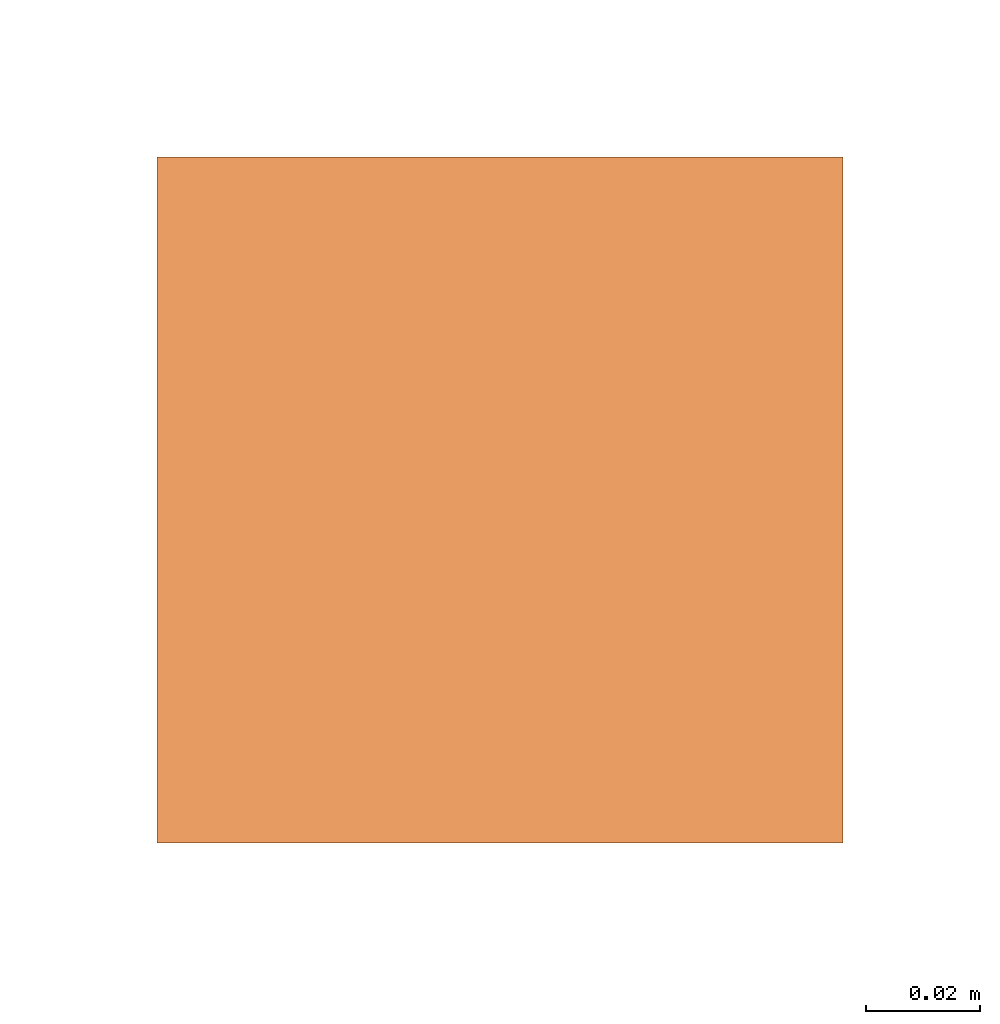
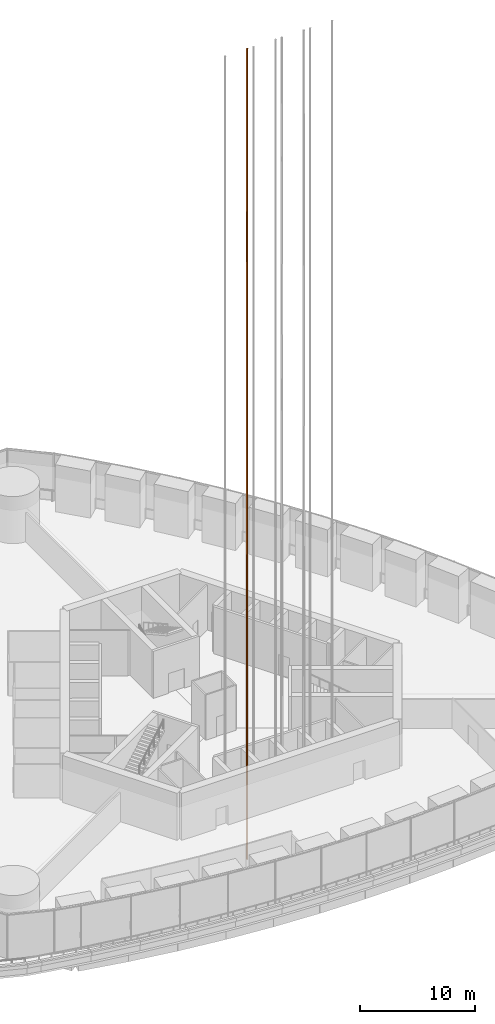
# One storey, part 27 of 33: 1 proxy.
"""IFC4 building model written with IfcOpenShell, lengths in metres."""

from ifc_helpers import new_model, si_unit, direction, frame, origin, origin_2d, place, context, subcontext, project, spatial, rectangle, extrude, element, save


model = new_model("IFC4")

# Units and contexts
model_context = context("Model", 3, precision=1e-05, world=origin(), true_north=direction((0.0, 1.0)))
body_context = subcontext(model_context, "Body", "Model", "MODEL_VIEW")
ifc_project = project(units=[si_unit("LENGTHUNIT", "METRE"), si_unit("AREAUNIT", "SQUARE_METRE"), si_unit("VOLUMEUNIT", "CUBIC_METRE"), si_unit("PLANEANGLEUNIT", "RADIAN"), si_unit("MASSUNIT", "GRAM", prefix="KILO")], contexts=[model_context])

# Site, building, storey
site_placement = place(None, origin())
site = spatial("IfcSite", under=ifc_project, at=site_placement, CompositionType="ELEMENT")
building_placement = place(site_placement, origin())
building = spatial("IfcBuilding", under=site, at=building_placement, Name="Trefoil Bronze Tower", CompositionType="ELEMENT")
storey_placement = place(building_placement, frame((0.0, 0.0, 98.10009765625)))
storey = spatial("IfcBuildingStorey", under=building, at=storey_placement, Name="L22", CompositionType="ELEMENT", Elevation=98.10009765625)

# Proxy
proxy_placement = place(storey_placement, frame((-3.1650390625, -11.3125, -6.0), z_axis=(0.0, 0.0, 1.0), x_axis=(1.0, 0.0, 0.0)))
element("IfcBuildingElementProxy", 1, at=proxy_placement, inside=storey, Name="Lift P21 guide rail 2", ObjectType="LIFT GUIDE RAIL", PredefinedType="USERDEFINED", context=body_context, shape_type="SweptSolid", body=[
    extrude(rectangle(XDim=0.1201171875, YDim=0.1201171875, at=origin_2d()), origin(), (0.0, 0.0, 1.0), 86.25),
])

save(model, "model.ifc")
